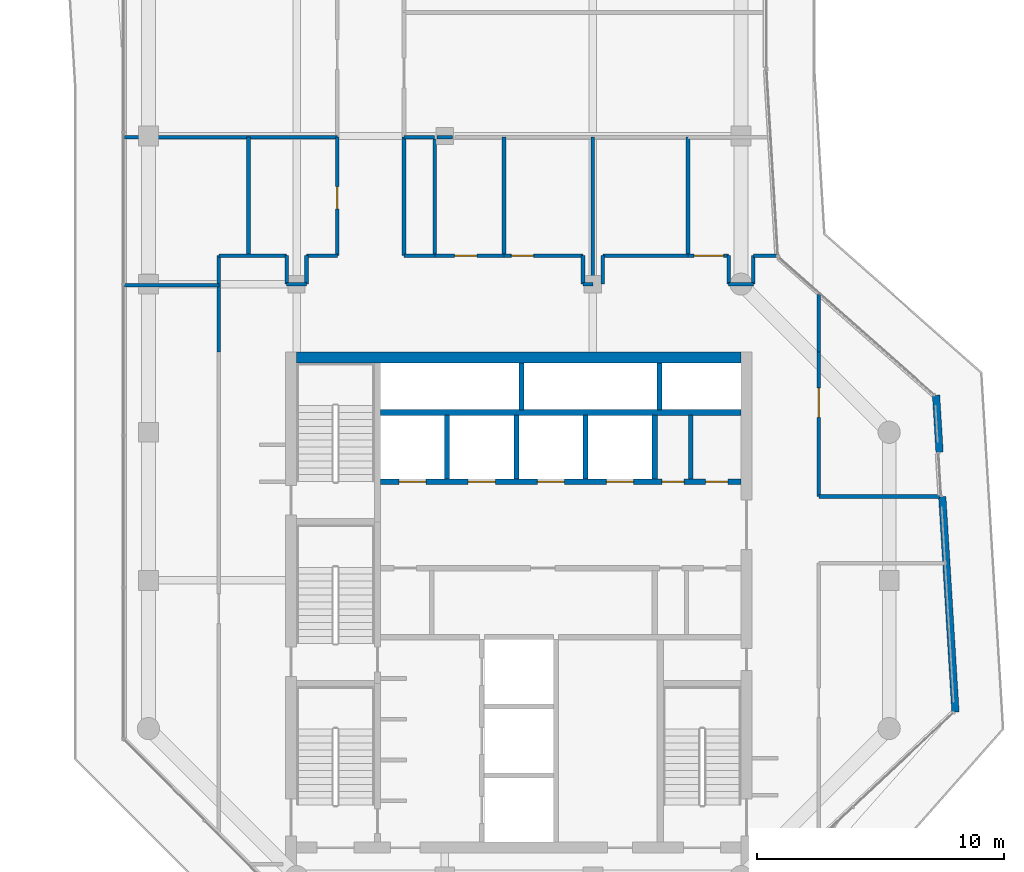
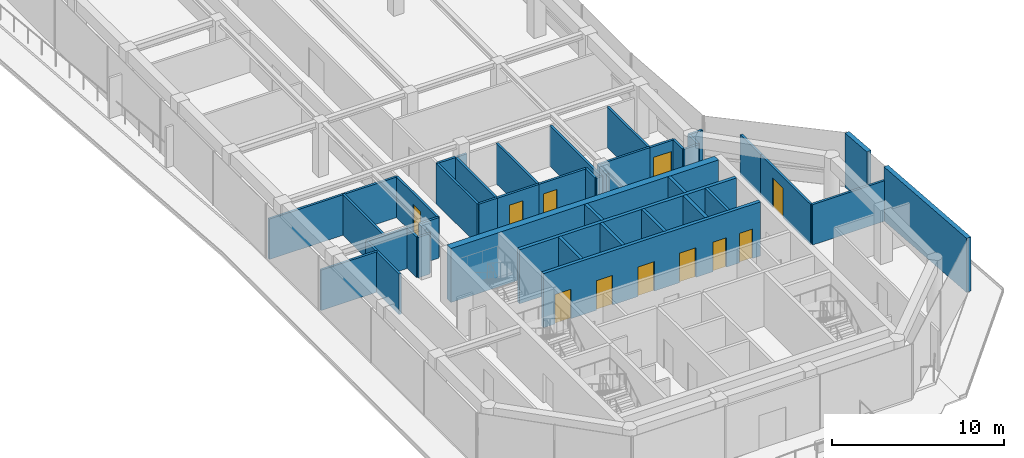
# One storey, part 18 of 21: 44 walls, 11 doors, 11 openings.
"""IFC4 building model written with IfcOpenShell, lengths in metres."""

from ifc_helpers import new_model, si_unit, direction, frame, frame_2d, origin, place, context, subcontext, project, spatial, rectangle, extrude, material, layer, layer_set, type_object, element, fill, save


model = new_model("IFC4")

# Units and contexts
model_context = context("Model", 3, precision=1e-05, world=origin(), true_north=direction((0.0, 1.0)))
body_context = subcontext(model_context, "Body", "Model", "MODEL_VIEW")
ifc_project = project(units=[si_unit("LENGTHUNIT", "METRE"), si_unit("AREAUNIT", "SQUARE_METRE"), si_unit("VOLUMEUNIT", "CUBIC_METRE"), si_unit("PLANEANGLEUNIT", "RADIAN"), si_unit("MASSUNIT", "GRAM", prefix="KILO")], contexts=[model_context])

# Site, building, storey
site_placement = place(None, origin())
site = spatial("IfcSite", under=ifc_project, at=site_placement, CompositionType="ELEMENT")
building_placement = place(site_placement, origin())
building = spatial("IfcBuilding", under=site, at=building_placement, Name="Welwitschia Terrace Campus", CompositionType="ELEMENT")
storey_placement = place(building_placement, frame((0.0, 0.0, 213.800048828125)))
storey = spatial("IfcBuildingStorey", under=building, at=storey_placement, Name="L47", CompositionType="ELEMENT", Elevation=213.800048828125)

# Wall
ifc_material_1 = material(Name="Concrete C32/40", Category="concrete")
ifc_layer_1 = layer(ifc_material_1, 0.175048828125)
ifc_layer_set_1 = layer_set([ifc_layer_1], Name="Concrete C32/40")
wall_type_1 = type_object("IfcWallType", Name="Core partition 175 Concrete C32/40", PredefinedType="PARTITIONING", material=ifc_layer_set_1)
wall_1_placement = place(storey_placement, frame((21.9599609375, 20.10009765625, 0.0), z_axis=(0.0, 0.0, 1.0), x_axis=(0.0, 1.0, 0.0)))
element("IfcWall", 1, at=wall_1_placement, inside=storey, type_object=wall_type_1, Name="Core partition", PredefinedType="PARTITIONING", context=body_context, shape_type="SweptSolid", body=[
    extrude(rectangle(XDim=2.599853515625, YDim=0.175048828125, at=frame_2d((1.2998046875, 0.0))), origin(), (0.0, 0.0, 1.0), 3.849853515625),
])

# Wall, openings, doors
ifc_material_2 = material(Name="Concrete C32/40", Category="concrete")
ifc_layer_2 = layer(ifc_material_2, 0.22509765625)
ifc_layer_set_2 = layer_set([ifc_layer_2], Name="Concrete C32/40")
wall_type_2 = type_object("IfcWallType", Name="Core partition 225 Concrete C32/40", PredefinedType="PARTITIONING", material=ifc_layer_set_2)
wall_2_placement = place(storey_placement, frame((24.0, 20.0, 0.0), z_axis=(0.0, 0.0, 1.0), x_axis=(-1.0, 0.0, 0.0)))
wall_2 = element("IfcWall", 2, at=wall_2_placement, inside=storey, type_object=wall_type_2, Name="Shaft wall", PredefinedType="PARTITIONING", context=body_context, shape_type="SweptSolid", body=[
    extrude(rectangle(XDim=14.60009765625, YDim=0.22509765625, at=frame_2d((7.300048828125, 0.0))), origin(), (0.0, 0.0, 1.0), 3.849853515625),
])
opening_1_placement = place(wall_2_placement, frame((12.75, 0.0, 0.0)))
opening_1 = element("IfcOpeningElement", 3, at=opening_1_placement, cuts=wall_2, Name="Opening LD", PredefinedType="OPENING", context=body_context, shape_type="SweptSolid", body=[
    extrude(rectangle(XDim=1.10009765625, YDim=2.10009765625, at=frame_2d((0.550048828125, 1.050048828125))), frame((0.0, 0.12255859375, 0.0), z_axis=(0.0, -1.0, 0.0), x_axis=(1.0, 0.0, 0.0)), (0.0, 0.0, 1.0), 0.2451171875),
])
opening_2_placement = place(wall_2_placement, frame((9.949951171875, 0.0, 0.0)))
opening_2 = element("IfcOpeningElement", 4, at=opening_2_placement, cuts=wall_2, Name="Opening LD", PredefinedType="OPENING", context=body_context, shape_type="SweptSolid", body=[
    extrude(rectangle(XDim=1.10009765625, YDim=2.10009765625, at=frame_2d((0.550048828125, 1.050048828125))), frame((0.0, 0.12255859375, 0.0), z_axis=(0.0, -1.0, 0.0), x_axis=(1.0, 0.0, 0.0)), (0.0, 0.0, 1.0), 0.2451171875),
])
opening_3_placement = place(wall_2_placement, frame((7.14990234375, 0.0, 0.0)))
opening_3 = element("IfcOpeningElement", 5, at=opening_3_placement, cuts=wall_2, Name="Opening LD", PredefinedType="OPENING", context=body_context, shape_type="SweptSolid", body=[
    extrude(rectangle(XDim=1.10009765625, YDim=2.10009765625, at=frame_2d((0.550048828125, 1.050048828125))), frame((0.0, 0.12255859375, 0.0), z_axis=(0.0, -1.0, 0.0), x_axis=(1.0, 0.0, 0.0)), (0.0, 0.0, 1.0), 0.2451171875),
])
opening_4_placement = place(wall_2_placement, frame((4.35009765625, 0.0, 0.0)))
opening_4 = element("IfcOpeningElement", 6, at=opening_4_placement, cuts=wall_2, Name="Opening LD", PredefinedType="OPENING", context=body_context, shape_type="SweptSolid", body=[
    extrude(rectangle(XDim=1.10009765625, YDim=2.10009765625, at=frame_2d((0.550048828125, 1.050048828125))), frame((0.0, 0.12255859375, 0.0), z_axis=(0.0, -1.0, 0.0), x_axis=(1.0, 0.0, 0.0)), (0.0, 0.0, 1.0), 0.2451171875),
])
opening_5_placement = place(wall_2_placement, frame((2.3076171875, 0.0, 0.0)))
opening_5 = element("IfcOpeningElement", 7, at=opening_5_placement, cuts=wall_2, Name="Opening DR09", PredefinedType="OPENING", context=body_context, shape_type="SweptSolid", body=[
    extrude(rectangle(XDim=0.89990234375, YDim=2.10009765625, at=frame_2d((0.449951171875, 1.050048828125))), frame((0.0, 0.12255859375, 0.0), z_axis=(0.0, -1.0, 0.0), x_axis=(1.0, 0.0, 0.0)), (0.0, 0.0, 1.0), 0.2451171875),
])
opening_6_placement = place(wall_2_placement, frame((0.532470703125, 0.0, 0.0)))
opening_6 = element("IfcOpeningElement", 8, at=opening_6_placement, cuts=wall_2, Name="Opening DR09", PredefinedType="OPENING", context=body_context, shape_type="SweptSolid", body=[
    extrude(rectangle(XDim=0.89990234375, YDim=2.10009765625, at=frame_2d((0.449951171875, 1.050048828125))), frame((0.0, 0.12255859375, 0.0), z_axis=(0.0, -1.0, 0.0), x_axis=(1.0, 0.0, 0.0)), (0.0, 0.0, 1.0), 0.2451171875),
])
ifc_material_3 = material(Name="Steel S275", Category="steel")
door_type_1 = type_object("IfcDoorType", Name="Core door DR09", OperationType="SINGLE_SWING_LEFT", PredefinedType="DOOR", material=ifc_material_3)
door_1_placement = place(opening_5_placement, origin())
door_1 = element("IfcDoor", 9, at=door_1_placement, inside=storey, type_object=door_type_1, Name="Door EH1-D", OperationType="SINGLE_SWING_LEFT", OverallHeight=2.10009765625, OverallWidth=0.89990234375, PredefinedType="DOOR", context=body_context, shape_type="SweptSolid", body=[
    extrude(rectangle(XDim=0.89990234375, YDim=2.10009765625, at=frame_2d((0.449951171875, 1.050048828125))), frame((0.0, 0.02490234375, 0.0), z_axis=(0.0, -1.0, 0.0), x_axis=(1.0, 0.0, 0.0)), (0.0, 0.0, 1.0), 0.050048828125),
])
fill(opening_5, door_1)
door_2_placement = place(opening_6_placement, origin())
door_2 = element("IfcDoor", 10, at=door_2_placement, inside=storey, type_object=door_type_1, Name="Door EH2-D", OperationType="SINGLE_SWING_LEFT", OverallHeight=2.10009765625, OverallWidth=0.89990234375, PredefinedType="DOOR", context=body_context, shape_type="SweptSolid", body=[
    extrude(rectangle(XDim=0.89990234375, YDim=2.10009765625, at=frame_2d((0.449951171875, 1.050048828125))), frame((0.0, 0.02490234375, 0.0), z_axis=(0.0, -1.0, 0.0), x_axis=(1.0, 0.0, 0.0)), (0.0, 0.0, 1.0), 0.050048828125),
])
fill(opening_6, door_2)
ifc_material_4 = material(Name="Stainless steel 304", Category="steel")
door_type_2 = type_object("IfcDoorType", Name="Lift landing door", OperationType="DOUBLE_DOOR_SLIDING", PredefinedType="DOOR", material=ifc_material_4)
door_3_placement = place(opening_1_placement, origin())
door_3 = element("IfcDoor", 11, at=door_3_placement, inside=storey, type_object=door_type_2, Name="Landing door HR1", OperationType="DOUBLE_DOOR_SLIDING", OverallHeight=2.10009765625, OverallWidth=1.10009765625, PredefinedType="DOOR", context=body_context, shape_type="SweptSolid", body=[
    extrude(rectangle(XDim=1.10009765625, YDim=2.10009765625, at=frame_2d((0.550048828125, 1.050048828125))), frame((0.0, 0.02490234375, 0.0), z_axis=(0.0, -1.0, 0.0), x_axis=(1.0, 0.0, 0.0)), (0.0, 0.0, 1.0), 0.050048828125),
])
fill(opening_1, door_3)
door_4_placement = place(opening_2_placement, origin())
door_4 = element("IfcDoor", 12, at=door_4_placement, inside=storey, type_object=door_type_2, Name="Landing door HR2", OperationType="DOUBLE_DOOR_SLIDING", OverallHeight=2.10009765625, OverallWidth=1.10009765625, PredefinedType="DOOR", context=body_context, shape_type="SweptSolid", body=[
    extrude(rectangle(XDim=1.10009765625, YDim=2.10009765625, at=frame_2d((0.550048828125, 1.050048828125))), frame((0.0, 0.02490234375, 0.0), z_axis=(0.0, -1.0, 0.0), x_axis=(1.0, 0.0, 0.0)), (0.0, 0.0, 1.0), 0.050048828125),
])
fill(opening_2, door_4)
door_5_placement = place(opening_3_placement, origin())
door_5 = element("IfcDoor", 13, at=door_5_placement, inside=storey, type_object=door_type_2, Name="Landing door HR3", OperationType="DOUBLE_DOOR_SLIDING", OverallHeight=2.10009765625, OverallWidth=1.10009765625, PredefinedType="DOOR", context=body_context, shape_type="SweptSolid", body=[
    extrude(rectangle(XDim=1.10009765625, YDim=2.10009765625, at=frame_2d((0.550048828125, 1.050048828125))), frame((0.0, 0.02490234375, 0.0), z_axis=(0.0, -1.0, 0.0), x_axis=(1.0, 0.0, 0.0)), (0.0, 0.0, 1.0), 0.050048828125),
])
fill(opening_3, door_5)
door_6_placement = place(opening_4_placement, origin())
door_6 = element("IfcDoor", 14, at=door_6_placement, inside=storey, type_object=door_type_2, Name="Landing door HR4", OperationType="DOUBLE_DOOR_SLIDING", OverallHeight=2.10009765625, OverallWidth=1.10009765625, PredefinedType="DOOR", context=body_context, shape_type="SweptSolid", body=[
    extrude(rectangle(XDim=1.10009765625, YDim=2.10009765625, at=frame_2d((0.550048828125, 1.050048828125))), frame((0.0, 0.02490234375, 0.0), z_axis=(0.0, -1.0, 0.0), x_axis=(1.0, 0.0, 0.0)), (0.0, 0.0, 1.0), 0.050048828125),
])
fill(opening_4, door_6)

# Walls
wall_3_placement = place(storey_placement, frame((9.39990234375, 22.800048828125, 0.0), z_axis=(0.0, 0.0, 1.0), x_axis=(1.0, 0.0, 0.0)))
element("IfcWall", 15, at=wall_3_placement, inside=storey, type_object=wall_type_2, Name="Shaft wall", PredefinedType="PARTITIONING", context=body_context, shape_type="SweptSolid", body=[
    extrude(rectangle(XDim=14.60009765625, YDim=0.22509765625, at=frame_2d((7.300048828125, 0.0))), origin(), (0.0, 0.0, 1.0), 3.849853515625),
])
wall_4_placement = place(storey_placement, frame((20.5, 20.10009765625, 0.0), z_axis=(0.0, 0.0, 1.0), x_axis=(0.0, 1.0, 0.0)))
element("IfcWall", 16, at=wall_4_placement, inside=storey, type_object=wall_type_2, Name="Shaft wall", PredefinedType="PARTITIONING", context=body_context, shape_type="SweptSolid", body=[
    extrude(rectangle(XDim=2.599853515625, YDim=0.22509765625, at=frame_2d((1.2998046875, 0.0))), origin(), (0.0, 0.0, 1.0), 3.849853515625),
])
ifc_material_5 = material(Name="Concrete C50/60", Category="concrete")
ifc_layer_3 = layer(ifc_material_5, 0.199951171875)
ifc_layer_set_3 = layer_set([ifc_layer_3], Name="Concrete C50/60")
wall_type_3 = type_object("IfcWallType", Name="Core wall 200 Concrete C50/60", PredefinedType="SHEAR", material=ifc_layer_set_3)
for number, where, z_axis, x_axis, name in (
    (17, (15.10009765625, 22.89990234375, 0.0), (0.0, 0.0, 1.0), (0.0, 1.0, 0.0), "Core wall"),
    (18, (20.699951171875, 22.89990234375, 0.0), (0.0, 0.0, 1.0), (0.0, 1.0, 0.0), "Core wall"),
):
    element("IfcWall", number, at=place(storey_placement, frame(where, z_axis=z_axis, x_axis=x_axis)), inside=storey, type_object=wall_type_3, Name=name, PredefinedType="SHEAR", context=body_context, shape_type="SweptSolid", body=[
        extrude(rectangle(XDim=1.900146484375, YDim=0.199951171875, at=frame_2d((0.9501953125, 0.0))), origin(), (0.0, 0.0, 1.0), 3.849853515625),
    ])
ifc_material_6 = material(Name="Concrete C60/75", Category="concrete")
ifc_layer_4 = layer(ifc_material_6, 0.449951171875)
ifc_layer_set_4 = layer_set([ifc_layer_4], Name="Concrete C60/75")
wall_type_4 = type_object("IfcWallType", Name="Core wall 450 Concrete C60/75", PredefinedType="SHEAR", material=ifc_layer_set_4)
wall_5_placement = place(storey_placement, frame((6.0, 25.02490234375, 0.0), z_axis=(0.0, 0.0, 1.0), x_axis=(1.0, 0.0, 0.0)))
element("IfcWall", 19, at=wall_5_placement, inside=storey, type_object=wall_type_4, Name="Core outer wall", PredefinedType="SHEAR", context=body_context, shape_type="SweptSolid", body=[
    extrude(rectangle(XDim=18.0, YDim=0.449951171875, at=frame_2d((9.0, 0.0))), origin(), (0.0, 0.0, 1.0), 3.849853515625),
])
ifc_material_7 = material(Name="Gypsum board on steel studs", Category="steel")
ifc_layer_5 = layer(ifc_material_7, 0.14990234375)
ifc_layer_set_5 = layer_set([ifc_layer_5], Name="Gypsum board on steel studs")
wall_type_5 = type_object("IfcWallType", Name="Corridor partition 150 EI 30", PredefinedType="PARTITIONING", material=ifc_layer_set_5)
wall_6_placement = place(storey_placement, frame((-0.965087890625, 27.949951171875, 0.0), z_axis=(0.0, 0.0, 1.0), x_axis=(1.0, 0.0, 0.0)))
element("IfcWall", 20, at=wall_6_placement, inside=storey, type_object=wall_type_5, Name="Partition", PredefinedType="PARTITIONING", context=body_context, shape_type="SweptSolid", body=[
    extrude(rectangle(XDim=3.815185546875, YDim=0.14990234375, at=frame_2d((1.90771484375, 0.0))), origin(), (0.0, 0.0, 1.0), 2.8798828125),
])
wall_7_placement = place(storey_placement, frame((-0.97998046875, 33.949951171875, 0.0), z_axis=(0.0, 0.0, 1.0), x_axis=(1.0, 0.0, 0.0)))
element("IfcWall", 21, at=wall_7_placement, inside=storey, type_object=wall_type_5, Name="Partition", PredefinedType="PARTITIONING", context=body_context, shape_type="SweptSolid", body=[
    extrude(rectangle(XDim=8.6298828125, YDim=0.14990234375, at=frame_2d((4.31494140625, 0.0))), origin(), (0.0, 0.0, 1.0), 2.8798828125),
])
wall_8_placement = place(storey_placement, frame((2.85009765625, 25.25, 0.0), z_axis=(0.0, 0.0, 1.0), x_axis=(0.0, 1.0, 0.0)))
element("IfcWall", 22, at=wall_8_placement, inside=storey, type_object=wall_type_5, Name="Partition", PredefinedType="PARTITIONING", context=body_context, shape_type="SweptSolid", body=[
    extrude(rectangle(XDim=3.89990234375, YDim=0.14990234375, at=frame_2d((1.949951171875, 0.0))), origin(), (0.0, 0.0, 1.0), 2.8798828125),
])
wall_9_placement = place(storey_placement, frame((2.85009765625, 29.14990234375, 0.0), z_axis=(0.0, 0.0, 1.0), x_axis=(1.0, 0.0, 0.0)))
element("IfcWall", 23, at=wall_9_placement, inside=storey, type_object=wall_type_5, Name="Partition", PredefinedType="PARTITIONING", context=body_context, shape_type="SweptSolid", body=[
    extrude(rectangle(XDim=2.75, YDim=0.14990234375, at=frame_2d((1.375, 0.0))), origin(), (0.0, 0.0, 1.0), 2.8798828125),
])
wall_10_placement = place(storey_placement, frame((4.050048828125, 29.14990234375, 0.0), z_axis=(0.0, 0.0, 1.0), x_axis=(0.0, 1.0, 0.0)))
element("IfcWall", 24, at=wall_10_placement, inside=storey, type_object=wall_type_5, Name="Partition", PredefinedType="PARTITIONING", context=body_context, shape_type="SweptSolid", body=[
    extrude(rectangle(XDim=4.800048828125, YDim=0.14990234375, at=frame_2d((2.39990234375, 0.0))), origin(), (0.0, 0.0, 1.0), 2.8798828125),
])
wall_11_placement = place(storey_placement, frame((5.60009765625, 28.0, 0.0), z_axis=(0.0, 0.0, 1.0), x_axis=(0.0, 1.0, 0.0)))
element("IfcWall", 25, at=wall_11_placement, inside=storey, type_object=wall_type_5, Name="Partition", PredefinedType="PARTITIONING", context=body_context, shape_type="SweptSolid", body=[
    extrude(rectangle(XDim=1.14990234375, YDim=0.14990234375, at=frame_2d((0.574951171875, 0.0))), origin(), (0.0, 0.0, 1.0), 2.8798828125),
])
wall_12_placement = place(storey_placement, frame((5.60009765625, 28.0, 0.0), z_axis=(0.0, 0.0, 1.0), x_axis=(1.0, 0.0, 0.0)))
element("IfcWall", 26, at=wall_12_placement, inside=storey, type_object=wall_type_5, Name="Partition", PredefinedType="PARTITIONING", context=body_context, shape_type="SweptSolid", body=[
    extrude(rectangle(XDim=0.7998046875, YDim=0.14990234375, at=frame_2d((0.39990234375, 0.0))), origin(), (0.0, 0.0, 1.0), 2.8798828125),
])
wall_13_placement = place(storey_placement, frame((6.39990234375, 28.0, 0.0), z_axis=(0.0, 0.0, 1.0), x_axis=(0.0, 1.0, 0.0)))
element("IfcWall", 27, at=wall_13_placement, inside=storey, type_object=wall_type_5, Name="Partition", PredefinedType="PARTITIONING", context=body_context, shape_type="SweptSolid", body=[
    extrude(rectangle(XDim=1.14990234375, YDim=0.14990234375, at=frame_2d((0.574951171875, 0.0))), origin(), (0.0, 0.0, 1.0), 2.8798828125),
])
wall_14_placement = place(storey_placement, frame((6.39990234375, 29.14990234375, 0.0), z_axis=(0.0, 0.0, 1.0), x_axis=(1.0, 0.0, 0.0)))
element("IfcWall", 28, at=wall_14_placement, inside=storey, type_object=wall_type_5, Name="Partition", PredefinedType="PARTITIONING", context=body_context, shape_type="SweptSolid", body=[
    extrude(rectangle(XDim=1.25, YDim=0.14990234375, at=frame_2d((0.625, 0.0))), origin(), (0.0, 0.0, 1.0), 2.8798828125),
])

# Wall, opening, door
wall_15_placement = place(storey_placement, frame((7.64990234375, 29.14990234375, 0.0), z_axis=(0.0, 0.0, 1.0), x_axis=(0.0, 1.0, 0.0)))
wall_15 = element("IfcWall", 29, at=wall_15_placement, inside=storey, type_object=wall_type_5, Name="Partition", PredefinedType="PARTITIONING", context=body_context, shape_type="SweptSolid", body=[
    extrude(rectangle(XDim=4.800048828125, YDim=0.14990234375, at=frame_2d((2.39990234375, 0.0))), origin(), (0.0, 0.0, 1.0), 2.8798828125),
])
opening_7_placement = place(wall_15_placement, frame((1.89990234375, 0.0, 0.0)))
opening_7 = element("IfcOpeningElement", 30, at=opening_7_placement, cuts=wall_15, Name="Opening DI09", PredefinedType="OPENING", context=body_context, shape_type="SweptSolid", body=[
    extrude(rectangle(XDim=0.89990234375, YDim=2.10009765625, at=frame_2d((0.449951171875, 1.050048828125))), frame((0.0, 0.0849609375, 0.0), z_axis=(0.0, -1.0, 0.0), x_axis=(1.0, 0.0, 0.0)), (0.0, 0.0, 1.0), 0.169921875),
])
ifc_material_8 = material(Name="Timber veneered door", Category="wood")
door_type_3 = type_object("IfcDoorType", Name="Interior door DI09", OperationType="NOTDEFINED", PredefinedType="DOOR", material=ifc_material_8)
door_7_placement = place(opening_7_placement, origin())
door_7 = element("IfcDoor", 31, at=door_7_placement, inside=storey, type_object=door_type_3, Name="Door L47 885", OperationType="SINGLE_SWING_RIGHT", OverallHeight=2.10009765625, OverallWidth=0.89990234375, PredefinedType="DOOR", context=body_context, shape_type="SweptSolid", body=[
    extrude(rectangle(XDim=0.89990234375, YDim=2.10009765625, at=frame_2d((0.449951171875, 1.050048828125))), frame((0.0, 0.02490234375, 0.0), z_axis=(0.0, -1.0, 0.0), x_axis=(1.0, 0.0, 0.0)), (0.0, 0.0, 1.0), 0.050048828125),
])
fill(opening_7, door_7)

# Walls
wall_16_placement = place(storey_placement, frame((10.35009765625, 29.14990234375, 0.0), z_axis=(0.0, 0.0, 1.0), x_axis=(0.0, 1.0, 0.0)))
element("IfcWall", 32, at=wall_16_placement, inside=storey, type_object=wall_type_5, Name="Partition", PredefinedType="PARTITIONING", context=body_context, shape_type="SweptSolid", body=[
    extrude(rectangle(XDim=4.800048828125, YDim=0.14990234375, at=frame_2d((2.39990234375, 0.0))), origin(), (0.0, 0.0, 1.0), 2.8798828125),
])
wall_17_placement = place(storey_placement, frame((10.35009765625, 29.14990234375, 0.0), z_axis=(0.0, 0.0, 1.0), x_axis=(1.0, 0.0, 0.0)))
element("IfcWall", 33, at=wall_17_placement, inside=storey, type_object=wall_type_5, Name="Partition", PredefinedType="PARTITIONING", context=body_context, shape_type="SweptSolid", body=[
    extrude(rectangle(XDim=1.25, YDim=0.14990234375, at=frame_2d((0.625, 0.0))), origin(), (0.0, 0.0, 1.0), 2.8798828125),
])
wall_18_placement = place(storey_placement, frame((10.35009765625, 33.949951171875, 0.0), z_axis=(0.0, 0.0, 1.0), x_axis=(1.0, 0.0, 0.0)))
element("IfcWall", 34, at=wall_18_placement, inside=storey, type_object=wall_type_5, Name="Partition", PredefinedType="PARTITIONING", context=body_context, shape_type="SweptSolid", body=[
    extrude(rectangle(XDim=1.241943359375, YDim=0.14990234375, at=frame_2d((0.62109375, 0.0))), origin(), (0.0, 0.0, 1.0), 2.8798828125),
])
wall_19_placement = place(storey_placement, frame((11.60009765625, 29.14990234375, 0.0), z_axis=(0.0, 0.0, 1.0), x_axis=(0.0, 1.0, 0.0)))
element("IfcWall", 35, at=wall_19_placement, inside=storey, type_object=wall_type_5, Name="Partition", PredefinedType="PARTITIONING", context=body_context, shape_type="SweptSolid", body=[
    extrude(rectangle(XDim=4.72021484375, YDim=0.14990234375, at=frame_2d((2.360107421875, 0.0))), origin(), (0.0, 0.0, 1.0), 2.8798828125),
])

# Wall, opening, door
wall_20_placement = place(storey_placement, frame((11.60009765625, 29.14990234375, 0.0), z_axis=(0.0, 0.0, 1.0), x_axis=(1.0, 0.0, 0.0)))
wall_20 = element("IfcWall", 36, at=wall_20_placement, inside=storey, type_object=wall_type_5, Name="Partition", PredefinedType="PARTITIONING", context=body_context, shape_type="SweptSolid", body=[
    extrude(rectangle(XDim=2.7998046875, YDim=0.14990234375, at=frame_2d((1.39990234375, 0.0))), origin(), (0.0, 0.0, 1.0), 2.8798828125),
])
opening_8_placement = place(wall_20_placement, frame((0.800048828125, 0.0, 0.0)))
opening_8 = element("IfcOpeningElement", 37, at=opening_8_placement, cuts=wall_20, Name="Opening DI09", PredefinedType="OPENING", context=body_context, shape_type="SweptSolid", body=[
    extrude(rectangle(XDim=0.89990234375, YDim=2.10009765625, at=frame_2d((0.449951171875, 1.050048828125))), frame((0.0, 0.0849609375, 0.0), z_axis=(0.0, -1.0, 0.0), x_axis=(1.0, 0.0, 0.0)), (0.0, 0.0, 1.0), 0.169921875),
])
door_8_placement = place(opening_8_placement, origin())
door_8 = element("IfcDoor", 38, at=door_8_placement, inside=storey, type_object=door_type_3, Name="Door L47 892", OperationType="SINGLE_SWING_LEFT", OverallHeight=2.10009765625, OverallWidth=0.89990234375, PredefinedType="DOOR", context=body_context, shape_type="SweptSolid", body=[
    extrude(rectangle(XDim=0.89990234375, YDim=2.10009765625, at=frame_2d((0.449951171875, 1.050048828125))), frame((0.0, 0.02490234375, 0.0), z_axis=(0.0, -1.0, 0.0), x_axis=(1.0, 0.0, 0.0)), (0.0, 0.0, 1.0), 0.050048828125),
])
fill(opening_8, door_8)

# Walls
wall_21_placement = place(storey_placement, frame((11.695556640625, 33.949951171875, 0.0), z_axis=(0.0, 0.0, 1.0), x_axis=(1.0, 0.0, 0.0)))
element("IfcWall", 39, at=wall_21_placement, inside=storey, type_object=wall_type_5, Name="Partition", PredefinedType="PARTITIONING", context=body_context, shape_type="SweptSolid", body=[
    extrude(rectangle(XDim=0.620849609375, YDim=0.14990234375, at=frame_2d((0.310546875, 0.0))), origin(), (0.0, 0.0, 1.0), 2.8798828125),
])
wall_22_placement = place(storey_placement, frame((14.39990234375, 29.14990234375, 0.0), z_axis=(0.0, 0.0, 1.0), x_axis=(0.0, 1.0, 0.0)))
element("IfcWall", 40, at=wall_22_placement, inside=storey, type_object=wall_type_5, Name="Partition", PredefinedType="PARTITIONING", context=body_context, shape_type="SweptSolid", body=[
    extrude(rectangle(XDim=4.800048828125, YDim=0.14990234375, at=frame_2d((2.39990234375, 0.0))), origin(), (0.0, 0.0, 1.0), 2.8798828125),
])

# Wall, opening, door
wall_23_placement = place(storey_placement, frame((14.39990234375, 29.14990234375, 0.0), z_axis=(0.0, 0.0, 1.0), x_axis=(1.0, 0.0, 0.0)))
wall_23 = element("IfcWall", 41, at=wall_23_placement, inside=storey, type_object=wall_type_5, Name="Partition", PredefinedType="PARTITIONING", context=body_context, shape_type="SweptSolid", body=[
    extrude(rectangle(XDim=3.2001953125, YDim=0.14990234375, at=frame_2d((1.60009765625, 0.0))), origin(), (0.0, 0.0, 1.0), 2.8798828125),
])
opening_9_placement = place(wall_23_placement, frame((0.300048828125, 0.0, 0.0)))
opening_9 = element("IfcOpeningElement", 42, at=opening_9_placement, cuts=wall_23, Name="Opening DI09", PredefinedType="OPENING", context=body_context, shape_type="SweptSolid", body=[
    extrude(rectangle(XDim=0.89990234375, YDim=2.10009765625, at=frame_2d((0.449951171875, 1.050048828125))), frame((0.0, 0.0849609375, 0.0), z_axis=(0.0, -1.0, 0.0), x_axis=(1.0, 0.0, 0.0)), (0.0, 0.0, 1.0), 0.169921875),
])
door_9_placement = place(opening_9_placement, origin())
door_9 = element("IfcDoor", 43, at=door_9_placement, inside=storey, type_object=door_type_3, Name="Door L47 893", OperationType="SINGLE_SWING_RIGHT", OverallHeight=2.10009765625, OverallWidth=0.89990234375, PredefinedType="DOOR", context=body_context, shape_type="SweptSolid", body=[
    extrude(rectangle(XDim=0.89990234375, YDim=2.10009765625, at=frame_2d((0.449951171875, 1.050048828125))), frame((0.0, 0.02490234375, 0.0), z_axis=(0.0, -1.0, 0.0), x_axis=(1.0, 0.0, 0.0)), (0.0, 0.0, 1.0), 0.050048828125),
])
fill(opening_9, door_9)

# Walls
wall_24_placement = place(storey_placement, frame((17.60009765625, 28.0, 0.0), z_axis=(0.0, 0.0, 1.0), x_axis=(0.0, 1.0, 0.0)))
element("IfcWall", 44, at=wall_24_placement, inside=storey, type_object=wall_type_5, Name="Partition", PredefinedType="PARTITIONING", context=body_context, shape_type="SweptSolid", body=[
    extrude(rectangle(XDim=1.14990234375, YDim=0.14990234375, at=frame_2d((0.574951171875, 0.0))), origin(), (0.0, 0.0, 1.0), 2.8798828125),
])
wall_25_placement = place(storey_placement, frame((17.60009765625, 28.0, 0.0), z_axis=(0.0, 0.0, 1.0), x_axis=(1.0, 0.0, 0.0)))
element("IfcWall", 45, at=wall_25_placement, inside=storey, type_object=wall_type_5, Name="Partition", PredefinedType="PARTITIONING", context=body_context, shape_type="SweptSolid", body=[
    extrude(rectangle(XDim=0.39990234375, YDim=0.14990234375, at=frame_2d((0.199951171875, 0.0))), origin(), (0.0, 0.0, 1.0), 2.8798828125),
])
wall_26_placement = place(storey_placement, frame((18.0, 28.0, 0.0), z_axis=(0.0, 0.0, 1.0), x_axis=(0.0, 1.0, 0.0)))
element("IfcWall", 46, at=wall_26_placement, inside=storey, type_object=wall_type_5, Name="Partition", PredefinedType="PARTITIONING", context=body_context, shape_type="SweptSolid", body=[
    extrude(rectangle(XDim=5.949951171875, YDim=0.14990234375, at=frame_2d((2.97509765625, 0.0))), origin(), (0.0, 0.0, 1.0), 2.8798828125),
])
wall_27_placement = place(storey_placement, frame((18.39990234375, 28.0, 0.0), z_axis=(0.0, 0.0, 1.0), x_axis=(0.0, 1.0, 0.0)))
element("IfcWall", 47, at=wall_27_placement, inside=storey, type_object=wall_type_5, Name="Partition", PredefinedType="PARTITIONING", context=body_context, shape_type="SweptSolid", body=[
    extrude(rectangle(XDim=1.14990234375, YDim=0.14990234375, at=frame_2d((0.574951171875, 0.0))), origin(), (0.0, 0.0, 1.0), 2.8798828125),
])
wall_28_placement = place(storey_placement, frame((18.39990234375, 29.14990234375, 0.0), z_axis=(0.0, 0.0, 1.0), x_axis=(1.0, 0.0, 0.0)))
element("IfcWall", 48, at=wall_28_placement, inside=storey, type_object=wall_type_5, Name="Partition", PredefinedType="PARTITIONING", context=body_context, shape_type="SweptSolid", body=[
    extrude(rectangle(XDim=3.4501953125, YDim=0.14990234375, at=frame_2d((1.72509765625, 0.0))), origin(), (0.0, 0.0, 1.0), 2.8798828125),
])
wall_29_placement = place(storey_placement, frame((21.85009765625, 29.14990234375, 0.0), z_axis=(0.0, 0.0, 1.0), x_axis=(0.0, 1.0, 0.0)))
element("IfcWall", 49, at=wall_29_placement, inside=storey, type_object=wall_type_5, Name="Partition", PredefinedType="PARTITIONING", context=body_context, shape_type="SweptSolid", body=[
    extrude(rectangle(XDim=4.800048828125, YDim=0.14990234375, at=frame_2d((2.39990234375, 0.0))), origin(), (0.0, 0.0, 1.0), 2.8798828125),
])

# Wall, opening, door
wall_30_placement = place(storey_placement, frame((21.85009765625, 29.14990234375, 0.0), z_axis=(0.0, 0.0, 1.0), x_axis=(1.0, 0.0, 0.0)))
wall_30 = element("IfcWall", 50, at=wall_30_placement, inside=storey, type_object=wall_type_5, Name="Partition", PredefinedType="PARTITIONING", context=body_context, shape_type="SweptSolid", body=[
    extrude(rectangle(XDim=1.64990234375, YDim=0.14990234375, at=frame_2d((0.824951171875, 0.0))), origin(), (0.0, 0.0, 1.0), 2.8798828125),
])
opening_10_placement = place(wall_30_placement, frame((0.25, 0.0, 0.0)))
opening_10 = element("IfcOpeningElement", 51, at=opening_10_placement, cuts=wall_30, Name="Opening DX12", PredefinedType="OPENING", context=body_context, shape_type="SweptSolid", body=[
    extrude(rectangle(XDim=1.199951171875, YDim=2.10009765625, at=frame_2d((0.60009765625, 1.050048828125))), frame((0.0, 0.0849609375, 0.0), z_axis=(0.0, -1.0, 0.0), x_axis=(1.0, 0.0, 0.0)), (0.0, 0.0, 1.0), 0.169921875),
])
ifc_material_9 = material(Name="Timber veneered door", Category="wood")
door_type_4 = type_object("IfcDoorType", Name="Interior door DX12", OperationType="NOTDEFINED", PredefinedType="DOOR", material=ifc_material_9)
door_10_placement = place(opening_10_placement, origin())
door_10 = element("IfcDoor", 52, at=door_10_placement, inside=storey, type_object=door_type_4, Name="Door L47 894", OperationType="SINGLE_SWING_LEFT", OverallHeight=2.10009765625, OverallWidth=1.199951171875, PredefinedType="DOOR", context=body_context, shape_type="SweptSolid", body=[
    extrude(rectangle(XDim=1.199951171875, YDim=2.10009765625, at=frame_2d((0.60009765625, 1.050048828125))), frame((0.0, 0.02490234375, 0.0), z_axis=(0.0, -1.0, 0.0), x_axis=(1.0, 0.0, 0.0)), (0.0, 0.0, 1.0), 0.050048828125),
])
fill(opening_10, door_10)

# Walls
wall_31_placement = place(storey_placement, frame((23.5, 28.0, 0.0), z_axis=(0.0, 0.0, 1.0), x_axis=(0.0, 1.0, 0.0)))
element("IfcWall", 53, at=wall_31_placement, inside=storey, type_object=wall_type_5, Name="Partition", PredefinedType="PARTITIONING", context=body_context, shape_type="SweptSolid", body=[
    extrude(rectangle(XDim=1.14990234375, YDim=0.14990234375, at=frame_2d((0.574951171875, 0.0))), origin(), (0.0, 0.0, 1.0), 2.8798828125),
])
wall_32_placement = place(storey_placement, frame((23.5, 28.0, 0.0), z_axis=(0.0, 0.0, 1.0), x_axis=(1.0, 0.0, 0.0)))
element("IfcWall", 54, at=wall_32_placement, inside=storey, type_object=wall_type_5, Name="Partition", PredefinedType="PARTITIONING", context=body_context, shape_type="SweptSolid", body=[
    extrude(rectangle(XDim=1.0, YDim=0.14990234375, at=frame_2d((0.5, 0.0))), origin(), (0.0, 0.0, 1.0), 2.8798828125),
])
wall_33_placement = place(storey_placement, frame((24.5, 28.0, 0.0), z_axis=(0.0, 0.0, 1.0), x_axis=(0.0, 1.0, 0.0)))
element("IfcWall", 55, at=wall_33_placement, inside=storey, type_object=wall_type_5, Name="Partition", PredefinedType="PARTITIONING", context=body_context, shape_type="SweptSolid", body=[
    extrude(rectangle(XDim=1.14990234375, YDim=0.14990234375, at=frame_2d((0.574951171875, 0.0))), origin(), (0.0, 0.0, 1.0), 2.8798828125),
])
wall_34_placement = place(storey_placement, frame((24.5, 29.14990234375, 0.0), z_axis=(0.0, 0.0, 1.0), x_axis=(1.0, 0.0, 0.0)))
element("IfcWall", 56, at=wall_34_placement, inside=storey, type_object=wall_type_5, Name="Partition", PredefinedType="PARTITIONING", context=body_context, shape_type="SweptSolid", body=[
    extrude(rectangle(XDim=0.933349609375, YDim=0.14990234375, at=frame_2d((0.466796875, 0.0))), origin(), (0.0, 0.0, 1.0), 2.8798828125),
])
wall_35_placement = place(storey_placement, frame((27.14990234375, 19.39990234375, 0.0), z_axis=(0.0, 0.0, 1.0), x_axis=(1.0, 0.0, 0.0)))
element("IfcWall", 57, at=wall_35_placement, inside=storey, type_object=wall_type_5, Name="Partition", PredefinedType="PARTITIONING", context=body_context, shape_type="SweptSolid", body=[
    extrude(rectangle(XDim=4.885009765625, YDim=0.14990234375, at=frame_2d((2.4423828125, 0.0))), origin(), (0.0, 0.0, 1.0), 2.8798828125),
])

# Wall, opening, door
wall_36_placement = place(storey_placement, frame((27.14990234375, 25.25, 0.0), z_axis=(0.0, 0.0, 1.0), x_axis=(0.0, -1.0, 0.0)))
wall_36 = element("IfcWall", 58, at=wall_36_placement, inside=storey, type_object=wall_type_5, Name="Partition", PredefinedType="PARTITIONING", context=body_context, shape_type="SweptSolid", body=[
    extrude(rectangle(XDim=5.85009765625, YDim=0.14990234375, at=frame_2d((2.925048828125, 0.0))), origin(), (0.0, 0.0, 1.0), 2.8798828125),
])
opening_11_placement = place(wall_36_placement, frame((1.449951171875, 0.0, 0.0)))
opening_11 = element("IfcOpeningElement", 59, at=opening_11_placement, cuts=wall_36, Name="Opening DI12", PredefinedType="OPENING", context=body_context, shape_type="SweptSolid", body=[
    extrude(rectangle(XDim=1.199951171875, YDim=2.10009765625, at=frame_2d((0.60009765625, 1.050048828125))), frame((0.0, 0.0849609375, 0.0), z_axis=(0.0, -1.0, 0.0), x_axis=(1.0, 0.0, 0.0)), (0.0, 0.0, 1.0), 0.169921875),
])
ifc_material_10 = material(Name="Timber veneered door", Category="wood")
door_type_5 = type_object("IfcDoorType", Name="Interior door DI12", OperationType="NOTDEFINED", PredefinedType="DOOR", material=ifc_material_10)
door_11_placement = place(opening_11_placement, origin())
door_11 = element("IfcDoor", 60, at=door_11_placement, inside=storey, type_object=door_type_5, Name="Door L47 896", OperationType="SINGLE_SWING_LEFT", OverallHeight=2.10009765625, OverallWidth=1.199951171875, PredefinedType="DOOR", context=body_context, shape_type="SweptSolid", body=[
    extrude(rectangle(XDim=1.199951171875, YDim=2.10009765625, at=frame_2d((0.60009765625, 1.050048828125))), frame((0.0, 0.02490234375, 0.0), z_axis=(0.0, -1.0, 0.0), x_axis=(1.0, 0.0, 0.0)), (0.0, 0.0, 1.0), 0.050048828125),
])
fill(opening_11, door_11)

# Walls
wall_37_placement = place(storey_placement, frame((27.14990234375, 25.25, 0.0), z_axis=(0.0, 0.0, 1.0), x_axis=(0.0, 1.0, 0.0)))
element("IfcWall", 61, at=wall_37_placement, inside=storey, type_object=wall_type_5, Name="Partition", PredefinedType="PARTITIONING", context=body_context, shape_type="SweptSolid", body=[
    extrude(rectangle(XDim=2.340087890625, YDim=0.14990234375, at=frame_2d((1.169921875, 0.0))), origin(), (0.0, 0.0, 1.0), 2.8798828125),
])
ifc_material_11 = material(Name="Concrete C40/50", Category="concrete")
ifc_layer_6 = layer(ifc_material_11, 0.300048828125)
ifc_layer_set_6 = layer_set([ifc_layer_6], Name="Concrete C40/50")
wall_type_6 = type_object("IfcWallType", Name="Mass wall 300", PredefinedType="SOLIDWALL", material=ifc_layer_set_6)
wall_38_placement = place(storey_placement, frame((32.684814453125, 10.667724609375, 0.0), z_axis=(0.0, 0.0, 1.0), x_axis=(-0.061063491269, 0.998133883822, 0.0)))
element("IfcWall", 62, at=wall_38_placement, inside=storey, type_object=wall_type_6, Name="Mass wall L47.3.0", PredefinedType="SOLIDWALL", context=body_context, shape_type="SweptSolid", body=[
    extrude(rectangle(XDim=8.739990234375, YDim=0.300048828125, at=frame_2d((4.3701171875, 0.0))), origin(), (0.0, 0.0, 1.0), 3.849853515625),
])
wall_39_placement = place(storey_placement, frame((32.041259765625, 21.18798828125, 0.0), z_axis=(0.0, 0.0, 1.0), x_axis=(-0.060998486175, 0.998137858557, 0.0)))
element("IfcWall", 63, at=wall_39_placement, inside=storey, type_object=wall_type_6, Name="Mass wall L47.3.1", PredefinedType="SOLIDWALL", context=body_context, shape_type="SweptSolid", body=[
    extrude(rectangle(XDim=2.3134765625, YDim=0.300048828125, at=frame_2d((1.15673828125, 0.0))), origin(), (0.0, 0.0, 1.0), 3.849853515625),
])
ifc_material_12 = material(Name="Concrete C32/40", Category="concrete")
ifc_layer_7 = layer(ifc_material_12, 0.199951171875)
ifc_layer_set_7 = layer_set([ifc_layer_7], Name="Concrete C32/40")
wall_type_7 = type_object("IfcWallType", Name="Shaft wall 200 Concrete C32/40", PredefinedType="SOLIDWALL", material=ifc_layer_set_7)
for number, where, z_axis, x_axis, name in (
    (64, (12.10009765625, 20.10009765625, 0.0), (0.0, 0.0, 1.0), (0.0, 1.0, 0.0), "Shaft wall"),
    (65, (14.89990234375, 20.10009765625, 0.0), (0.0, 0.0, 1.0), (0.0, 1.0, 0.0), "Shaft wall"),
    (66, (17.699951171875, 20.10009765625, 0.0), (0.0, 0.0, 1.0), (0.0, 1.0, 0.0), "Shaft wall"),
):
    element("IfcWall", number, at=place(storey_placement, frame(where, z_axis=z_axis, x_axis=x_axis)), inside=storey, type_object=wall_type_7, Name=name, PredefinedType="SOLIDWALL", context=body_context, shape_type="SweptSolid", body=[
        extrude(rectangle(XDim=2.599853515625, YDim=0.199951171875, at=frame_2d((1.2998046875, 0.0))), origin(), (0.0, 0.0, 1.0), 3.849853515625),
    ])

save(model, "model.ifc")
